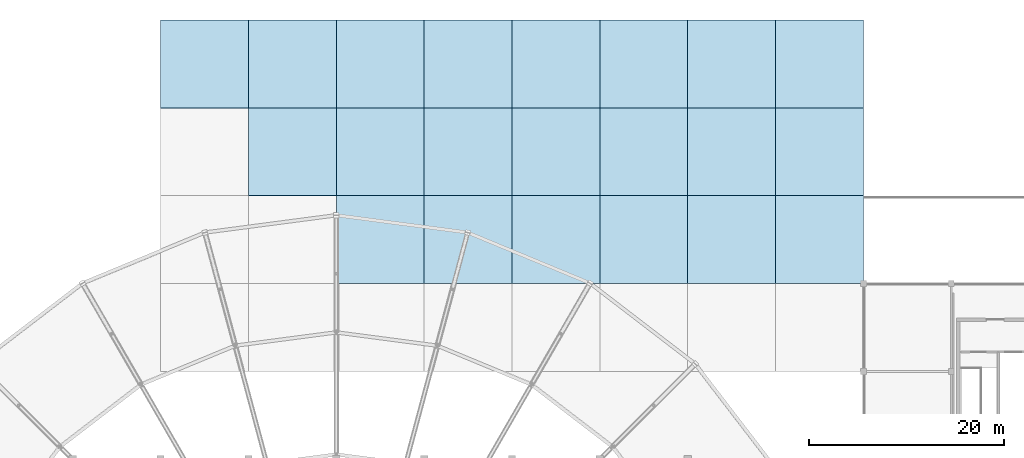
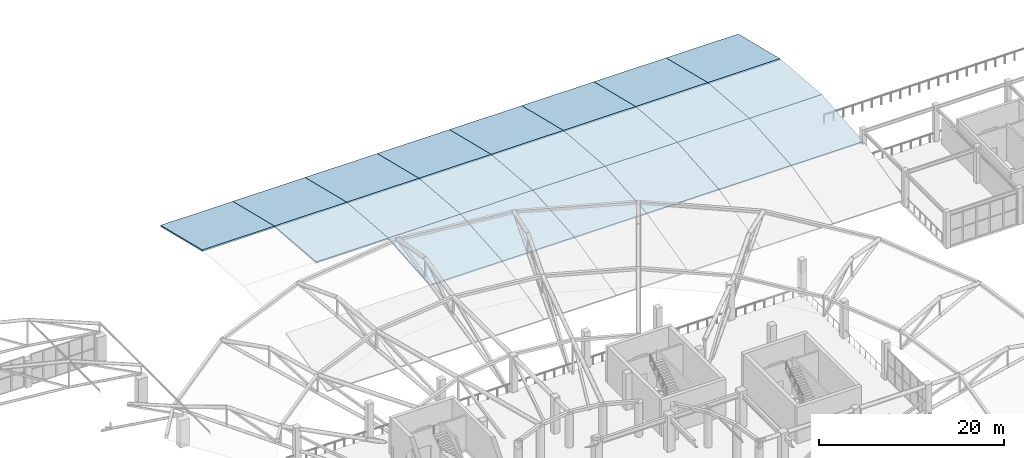
# One storey, part 145 of 167: 21 roofs.
"""IFC4 building model written with IfcOpenShell, lengths in metres."""

from ifc_helpers import new_model, si_unit, direction, frame, origin, place, context, subcontext, project, spatial, polyline, outline, extrude, material, layer, layer_set, type_object, element, save


model = new_model("IFC4")

# Units and contexts
model_context = context("Model", 3, precision=1e-05, world=origin(), true_north=direction((0.0, 1.0)))
body_context = subcontext(model_context, "Body", "Model", "MODEL_VIEW")
ifc_project = project(units=[si_unit("LENGTHUNIT", "METRE"), si_unit("AREAUNIT", "SQUARE_METRE"), si_unit("VOLUMEUNIT", "CUBIC_METRE"), si_unit("PLANEANGLEUNIT", "RADIAN"), si_unit("MASSUNIT", "GRAM", prefix="KILO")], contexts=[model_context])

# Site, building, storey
site_placement = place(None, origin())
site = spatial("IfcSite", under=ifc_project, at=site_placement, CompositionType="ELEMENT")
building_placement = place(site_placement, origin())
building = spatial("IfcBuilding", under=site, at=building_placement, Name="Dornveld Trade and Exhibition Forum", CompositionType="ELEMENT")
storey_placement = place(building_placement, frame((0.0, 0.0, 16.800048828125)))
storey = spatial("IfcBuildingStorey", under=building, at=storey_placement, Name="L03", CompositionType="ELEMENT", Elevation=16.800048828125)

# Roofs
ifc_material = material(Name="Steel S355J2", Category="steel")
ifc_layer = layer(ifc_material, 0.179931640625)
ifc_layer_set = layer_set([ifc_layer], Name="Steel S355J2")
roof_type = type_object("IfcRoofType", Name="RF-ARCH-HALL1", PredefinedType="BARREL_ROOF", material=ifc_layer_set)
roof_1_placement = place(storey_placement, frame((99.0, 144.0, 2.986572265625), z_axis=(0.0, 0.237448117444, 0.971400222114), x_axis=(1.0, 0.0, 0.0)))
element("IfcRoof", 1, at=roof_1_placement, inside=storey, type_object=roof_type, Name="H1 arched roof bay 1 facet 5", PredefinedType="BARREL_ROOF", context=body_context, shape_type="SweptSolid", body=[
    extrude(outline(polyline([(0.0, 0.0), (9.0, 0.0), (9.0, 9.264976263252603), (0.0, 9.264976263252603), (0.0, 0.0)])), origin(), (0.0, 0.0, -1.0), 0.179931640625),
])
roof_2_placement = place(storey_placement, frame((108.0, 135.0, 3.719970703125), z_axis=(0.0, 0.081219496064, 0.996696239312), x_axis=(1.0, 0.0, 0.0)))
element("IfcRoof", 2, at=roof_2_placement, inside=storey, type_object=roof_type, Name="H1 arched roof bay 2 facet 4", PredefinedType="BARREL_ROOF", context=body_context, shape_type="SweptSolid", body=[
    extrude(outline(polyline([(0.0, 0.0), (9.0, 0.0), (9.0, 9.0298324053178), (0.0, 9.0298324053178), (0.0, 0.0)])), origin(), (0.0, 0.0, -1.0), 0.179931640625),
])
roof_3_placement = place(storey_placement, frame((108.0, 144.0, 2.986572265625), z_axis=(0.0, 0.237448117444, 0.971400222114), x_axis=(1.0, 0.0, 0.0)))
element("IfcRoof", 3, at=roof_3_placement, inside=storey, type_object=roof_type, Name="H1 arched roof bay 2 facet 5", PredefinedType="BARREL_ROOF", context=body_context, shape_type="SweptSolid", body=[
    extrude(outline(polyline([(0.0, 0.0), (9.0, 0.0), (9.0, 9.264976263252603), (0.0, 9.264976263252603), (0.0, 0.0)])), origin(), (0.0, 0.0, -1.0), 0.179931640625),
])
for number, where, z_axis, x_axis, name in (
    (4, (117.0, 126.0, 2.986572265625), (0.0, -0.081219496064, 0.996696239312), (1.0, 0.0, 0.0), "H1 arched roof bay 3 facet 3"),
    (5, (117.0, 135.0, 3.719970703125), (0.0, 0.081219496064, 0.996696239312), (1.0, 0.0, 0.0), "H1 arched roof bay 3 facet 4"),
):
    element("IfcRoof", number, at=place(storey_placement, frame(where, z_axis=z_axis, x_axis=x_axis)), inside=storey, type_object=roof_type, Name=name, PredefinedType="BARREL_ROOF", context=body_context, shape_type="SweptSolid", body=[
        extrude(outline(polyline([(0.0, 0.0), (9.0, 0.0), (9.0, 9.0298324053178), (0.0, 9.0298324053178), (0.0, 0.0)])), origin(), (0.0, 0.0, -1.0), 0.179931640625),
    ])
roof_4_placement = place(storey_placement, frame((117.0, 144.0, 2.986572265625), z_axis=(0.0, 0.237448117444, 0.971400222114), x_axis=(1.0, 0.0, 0.0)))
element("IfcRoof", 6, at=roof_4_placement, inside=storey, type_object=roof_type, Name="H1 arched roof bay 3 facet 5", PredefinedType="BARREL_ROOF", context=body_context, shape_type="SweptSolid", body=[
    extrude(outline(polyline([(0.0, 0.0), (9.0, 0.0), (9.0, 9.264976263252603), (0.0, 9.264976263252603), (0.0, 0.0)])), origin(), (0.0, 0.0, -1.0), 0.179931640625),
])
for number, where, z_axis, x_axis, name in (
    (7, (126.0, 126.0, 2.986572265625), (0.0, -0.081219496064, 0.996696239312), (1.0, 0.0, 0.0), "H1 arched roof bay 4 facet 3"),
    (8, (126.0, 135.0, 3.719970703125), (0.0, 0.081219496064, 0.996696239312), (1.0, 0.0, 0.0), "H1 arched roof bay 4 facet 4"),
):
    element("IfcRoof", number, at=place(storey_placement, frame(where, z_axis=z_axis, x_axis=x_axis)), inside=storey, type_object=roof_type, Name=name, PredefinedType="BARREL_ROOF", context=body_context, shape_type="SweptSolid", body=[
        extrude(outline(polyline([(0.0, 0.0), (9.0, 0.0), (9.0, 9.0298324053178), (0.0, 9.0298324053178), (0.0, 0.0)])), origin(), (0.0, 0.0, -1.0), 0.179931640625),
    ])
roof_5_placement = place(storey_placement, frame((126.0, 144.0, 2.986572265625), z_axis=(0.0, 0.237448117444, 0.971400222114), x_axis=(1.0, 0.0, 0.0)))
element("IfcRoof", 9, at=roof_5_placement, inside=storey, type_object=roof_type, Name="H1 arched roof bay 4 facet 5", PredefinedType="BARREL_ROOF", context=body_context, shape_type="SweptSolid", body=[
    extrude(outline(polyline([(0.0, 0.0), (9.0, 0.0), (9.0, 9.264976263252603), (0.0, 9.264976263252603), (0.0, 0.0)])), origin(), (0.0, 0.0, -1.0), 0.179931640625),
])
for number, where, z_axis, x_axis, name in (
    (10, (135.0, 126.0, 2.986572265625), (0.0, -0.081219496064, 0.996696239312), (1.0, 0.0, 0.0), "H1 arched roof bay 5 facet 3"),
    (11, (135.0, 135.0, 3.719970703125), (0.0, 0.081219496064, 0.996696239312), (1.0, 0.0, 0.0), "H1 arched roof bay 5 facet 4"),
):
    element("IfcRoof", number, at=place(storey_placement, frame(where, z_axis=z_axis, x_axis=x_axis)), inside=storey, type_object=roof_type, Name=name, PredefinedType="BARREL_ROOF", context=body_context, shape_type="SweptSolid", body=[
        extrude(outline(polyline([(0.0, 0.0), (9.0, 0.0), (9.0, 9.0298324053178), (0.0, 9.0298324053178), (0.0, 0.0)])), origin(), (0.0, 0.0, -1.0), 0.179931640625),
    ])
roof_6_placement = place(storey_placement, frame((135.0, 144.0, 2.986572265625), z_axis=(0.0, 0.237448117444, 0.971400222114), x_axis=(1.0, 0.0, 0.0)))
element("IfcRoof", 12, at=roof_6_placement, inside=storey, type_object=roof_type, Name="H1 arched roof bay 5 facet 5", PredefinedType="BARREL_ROOF", context=body_context, shape_type="SweptSolid", body=[
    extrude(outline(polyline([(0.0, 0.0), (9.0, 0.0), (9.0, 9.264976263252603), (0.0, 9.264976263252603), (0.0, 0.0)])), origin(), (0.0, 0.0, -1.0), 0.179931640625),
])
for number, where, z_axis, x_axis, name in (
    (13, (144.0, 126.0, 2.986572265625), (0.0, -0.081219496064, 0.996696239312), (1.0, 0.0, 0.0), "H1 arched roof bay 6 facet 3"),
    (14, (144.0, 135.0, 3.719970703125), (0.0, 0.081219496064, 0.996696239312), (1.0, 0.0, 0.0), "H1 arched roof bay 6 facet 4"),
):
    element("IfcRoof", number, at=place(storey_placement, frame(where, z_axis=z_axis, x_axis=x_axis)), inside=storey, type_object=roof_type, Name=name, PredefinedType="BARREL_ROOF", context=body_context, shape_type="SweptSolid", body=[
        extrude(outline(polyline([(0.0, 0.0), (9.0, 0.0), (9.0, 9.0298324053178), (0.0, 9.0298324053178), (0.0, 0.0)])), origin(), (0.0, 0.0, -1.0), 0.179931640625),
    ])
roof_7_placement = place(storey_placement, frame((144.0, 144.0, 2.986572265625), z_axis=(0.0, 0.237448117444, 0.971400222114), x_axis=(1.0, 0.0, 0.0)))
element("IfcRoof", 15, at=roof_7_placement, inside=storey, type_object=roof_type, Name="H1 arched roof bay 6 facet 5", PredefinedType="BARREL_ROOF", context=body_context, shape_type="SweptSolid", body=[
    extrude(outline(polyline([(0.0, 0.0), (9.0, 0.0), (9.0, 9.264976263252603), (0.0, 9.264976263252603), (0.0, 0.0)])), origin(), (0.0, 0.0, -1.0), 0.179931640625),
])
for number, where, z_axis, x_axis, name in (
    (16, (153.0, 126.0, 2.986572265625), (0.0, -0.081219496064, 0.996696239312), (1.0, 0.0, 0.0), "H1 arched roof bay 7 facet 3"),
    (17, (153.0, 135.0, 3.719970703125), (0.0, 0.081219496064, 0.996696239312), (1.0, 0.0, 0.0), "H1 arched roof bay 7 facet 4"),
):
    element("IfcRoof", number, at=place(storey_placement, frame(where, z_axis=z_axis, x_axis=x_axis)), inside=storey, type_object=roof_type, Name=name, PredefinedType="BARREL_ROOF", context=body_context, shape_type="SweptSolid", body=[
        extrude(outline(polyline([(0.0, 0.0), (9.0, 0.0), (9.0, 9.0298324053178), (0.0, 9.0298324053178), (0.0, 0.0)])), origin(), (0.0, 0.0, -1.0), 0.179931640625),
    ])
roof_8_placement = place(storey_placement, frame((153.0, 144.0, 2.986572265625), z_axis=(0.0, 0.237448117444, 0.971400222114), x_axis=(1.0, 0.0, 0.0)))
element("IfcRoof", 18, at=roof_8_placement, inside=storey, type_object=roof_type, Name="H1 arched roof bay 7 facet 5", PredefinedType="BARREL_ROOF", context=body_context, shape_type="SweptSolid", body=[
    extrude(outline(polyline([(0.0, 0.0), (9.0, 0.0), (9.0, 9.264976263252603), (0.0, 9.264976263252603), (0.0, 0.0)])), origin(), (0.0, 0.0, -1.0), 0.179931640625),
])
for number, where, z_axis, x_axis, name in (
    (19, (162.0, 126.0, 2.986572265625), (0.0, -0.081219496064, 0.996696239312), (1.0, 0.0, 0.0), "H1 arched roof bay 8 facet 3"),
    (20, (162.0, 135.0, 3.719970703125), (0.0, 0.081219496064, 0.996696239312), (1.0, 0.0, 0.0), "H1 arched roof bay 8 facet 4"),
):
    element("IfcRoof", number, at=place(storey_placement, frame(where, z_axis=z_axis, x_axis=x_axis)), inside=storey, type_object=roof_type, Name=name, PredefinedType="BARREL_ROOF", context=body_context, shape_type="SweptSolid", body=[
        extrude(outline(polyline([(0.0, 0.0), (9.0, 0.0), (9.0, 9.0298324053178), (0.0, 9.0298324053178), (0.0, 0.0)])), origin(), (0.0, 0.0, -1.0), 0.179931640625),
    ])
roof_9_placement = place(storey_placement, frame((162.0, 144.0, 2.986572265625), z_axis=(0.0, 0.237448117444, 0.971400222114), x_axis=(1.0, 0.0, 0.0)))
element("IfcRoof", 21, at=roof_9_placement, inside=storey, type_object=roof_type, Name="H1 arched roof bay 8 facet 5", PredefinedType="BARREL_ROOF", context=body_context, shape_type="SweptSolid", body=[
    extrude(outline(polyline([(0.0, 0.0), (9.0, 0.0), (9.0, 9.264976263252603), (0.0, 9.264976263252603), (0.0, 0.0)])), origin(), (0.0, 0.0, -1.0), 0.179931640625),
])

save(model, "model.ifc")
